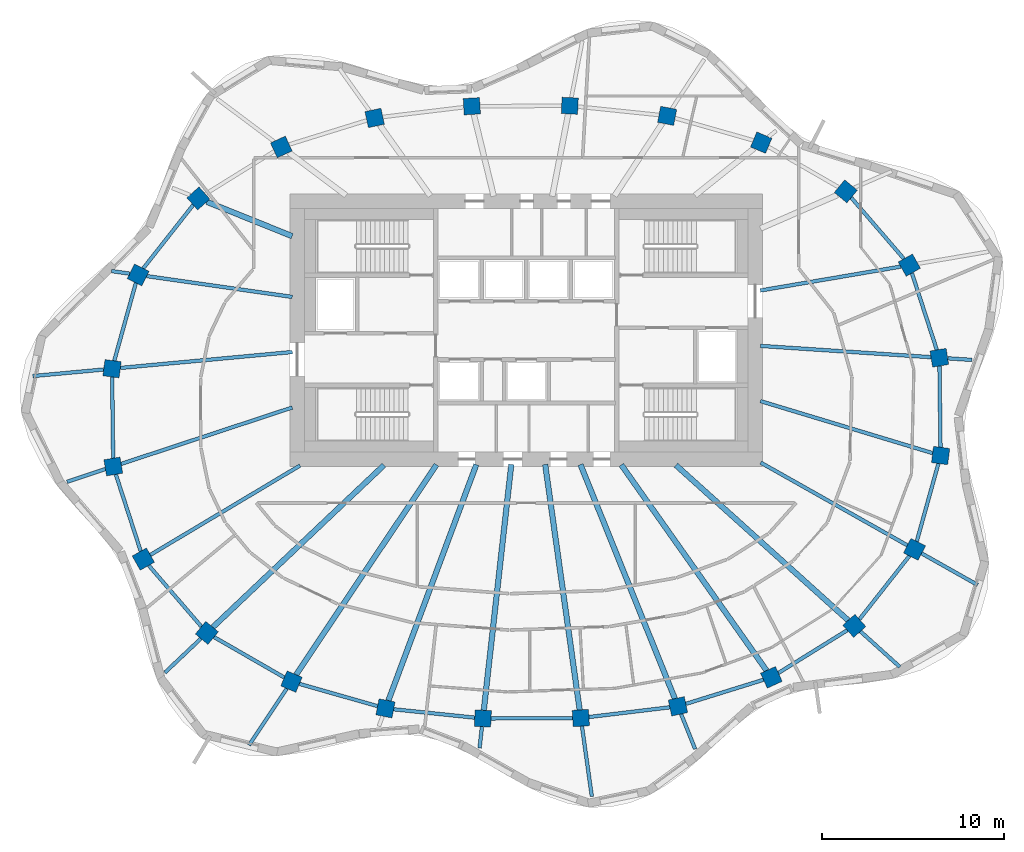
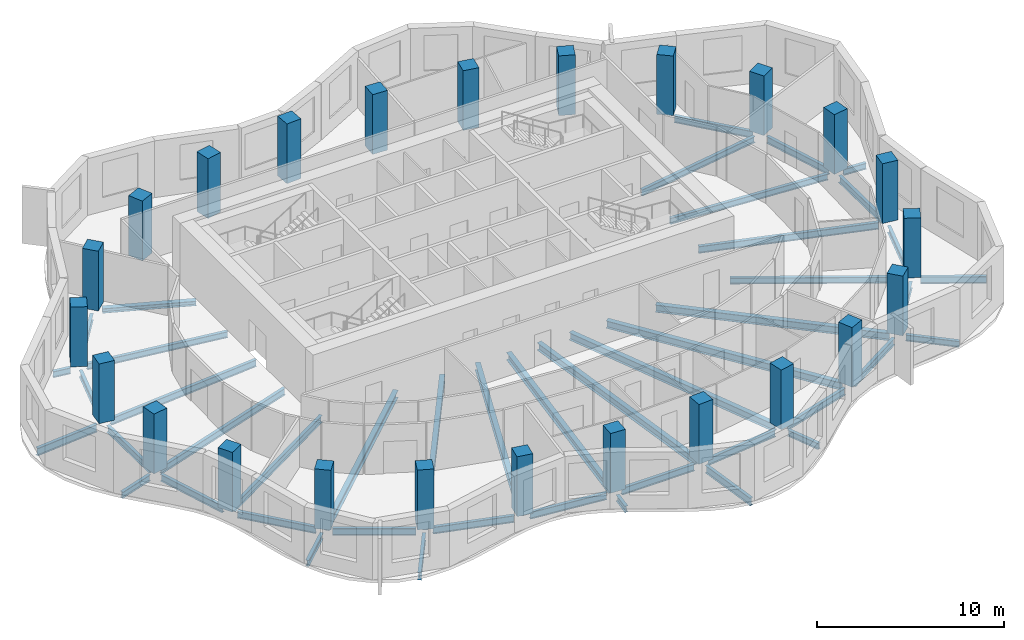
# One storey, part 1 of 9: 45 beams, 24 columns.
"""IFC4 building model written with IfcOpenShell, lengths in metres."""

from ifc_helpers import new_model, si_unit, direction, frame, origin, origin_2d, place, context, subcontext, project, spatial, rectangle, i_section, extrude, material, material_profile, profile_set, type_object, element, save


model = new_model("IFC4")

# Units and contexts
model_context = context("Model", 3, precision=1e-05, world=origin(), true_north=direction((0.0, 1.0)))
body_context = subcontext(model_context, "Body", "Model", "MODEL_VIEW")
ifc_project = project(units=[si_unit("LENGTHUNIT", "METRE"), si_unit("AREAUNIT", "SQUARE_METRE"), si_unit("VOLUMEUNIT", "CUBIC_METRE"), si_unit("PLANEANGLEUNIT", "RADIAN"), si_unit("MASSUNIT", "GRAM", prefix="KILO")], contexts=[model_context])

# Site, building, storey
site_placement = place(None, origin())
site = spatial("IfcSite", under=ifc_project, at=site_placement, CompositionType="ELEMENT")
building_placement = place(site_placement, origin())
building = spatial("IfcBuilding", under=site, at=building_placement, Name="Rubra Terraces Tower", CompositionType="ELEMENT")
storey_placement = place(building_placement, frame((0.0, 0.0, 288.300048828125)))
storey = spatial("IfcBuildingStorey", under=building, at=storey_placement, Name="L71", CompositionType="ELEMENT", Elevation=288.300048828125)

# Columns
ifc_material_1 = material(Name="Concrete C50", Category="concrete")
ifc_material_profile_1 = material_profile(ifc_material_1, rectangle(XDim=0.89990234375, YDim=0.89990234375, at=origin_2d()), Name="RC 900x900")
ifc_profile_set_1 = profile_set([ifc_material_profile_1], Name="Concrete C50")
column_type = type_object("IfcColumnType", Name="RING COLUMN RC 900x900 C50", PredefinedType="COLUMN", material=ifc_profile_set_1)
for number, where, z_axis, x_axis, name in (
    (1, (22.73388671875, 2.992919921875, 0.0), (0.0, 0.0, 1.0), (-0.162062155721, 0.986780551938, 0.0), "column-L71-ring-01"),
    (2, (21.0810546875, 8.090087890625, 0.0), (0.0, 0.0, 1.0), (-0.490161823029, 0.8716314515, 0.0), "column-L71-ring-02"),
    (3, (17.583984375, 12.15087890625, 0.0), (0.0, 0.0, 1.0), (-0.770679191336, 0.637223339216, 0.0), "column-L71-ring-03"),
    (4, (12.927001953125, 14.83203125, 0.0), (0.0, 0.0, 1.0), (-0.92110553102, 0.389312985558, 0.0), "column-L71-ring-04"),
    (5, (7.7509765625, 16.306884765625, 0.0), (0.0, 0.0, 1.0), (-0.981936574306, 0.189210369799, 0.0), "column-L71-ring-05"),
    (6, (2.39208984375, 16.862060546875, 0.0), (0.0, 0.0, 1.0), (-0.998791416829, 0.049149828786, 0.0), "column-L71-ring-06"),
    (7, (-2.9990234375, 16.8359375, 0.0), (0.0, 0.0, 1.0), (-0.998059443319, -0.062268351524, 0.0), "column-L71-ring-07"),
    (8, (-8.346923828125, 16.19189453125, 0.0), (0.0, 0.0, 1.0), (-0.977944102772, -0.208866780156, 0.0), "column-L71-ring-08"),
    (9, (-13.487060546875, 14.595947265625, 0.0), (0.0, 0.0, 1.0), (-0.90972649622, -0.415208022652, 0.0), "column-L71-ring-09"),
    (10, (-18.051025390625, 11.762939453125, 0.0), (0.0, 0.0, 1.0), (-0.7456420961, -0.66634665492, 0.0), "column-L71-ring-10"),
    (11, (-21.366943359375, 7.553955078125, 0.0), (0.0, 0.0, 1.0), (-0.452078869866, -0.891977968013, 0.0), "column-L71-ring-11"),
    (12, (-22.802001953125, 2.388916015625, 0.0), (0.0, 0.0, 1.0), (-0.128535191473, -0.991704948336, 0.0), "column-L71-ring-12"),
    (13, (-22.73388671875, -2.992919921875, 0.0), (0.0, 0.0, 1.0), (0.162062155721, -0.986780551938, 0.0), "column-L71-ring-13"),
    (14, (-21.0810546875, -8.090087890625, 0.0), (0.0, 0.0, 1.0), (0.490161823029, -0.8716314515, 0.0), "column-L71-ring-14"),
    (15, (-17.583984375, -12.15087890625, 0.0), (0.0, 0.0, 1.0), (0.770679191336, -0.637223339216, 0.0), "column-L71-ring-15"),
    (16, (-12.927001953125, -14.83203125, 0.0), (0.0, 0.0, 1.0), (0.92110553102, -0.389312985558, 0.0), "column-L71-ring-16"),
    (17, (-7.7509765625, -16.306884765625, 0.0), (0.0, 0.0, 1.0), (0.981936574306, -0.189210369799, 0.0), "column-L71-ring-17"),
    (18, (-2.39208984375, -16.862060546875, 0.0), (0.0, 0.0, 1.0), (0.998791416829, -0.049149828786, 0.0), "column-L71-ring-18"),
    (19, (2.9990234375, -16.8359375, 0.0), (0.0, 0.0, 1.0), (0.998059443319, 0.062268351524, 0.0), "column-L71-ring-19"),
    (20, (8.346923828125, -16.19189453125, 0.0), (0.0, 0.0, 1.0), (0.977944102772, 0.208866780156, 0.0), "column-L71-ring-20"),
    (21, (13.487060546875, -14.595947265625, 0.0), (0.0, 0.0, 1.0), (0.90972649622, 0.415208022652, 0.0), "column-L71-ring-21"),
    (22, (18.051025390625, -11.762939453125, 0.0), (0.0, 0.0, 1.0), (0.7456420961, 0.66634665492, 0.0), "column-L71-ring-22"),
    (23, (21.366943359375, -7.553955078125, 0.0), (0.0, 0.0, 1.0), (0.452078869866, 0.891977968013, 0.0), "column-L71-ring-23"),
    (24, (22.802001953125, -2.388916015625, 0.0), (0.0, 0.0, 1.0), (0.128535191473, 0.991704948336, 0.0), "column-L71-ring-24"),
):
    element("IfcColumn", number, at=place(storey_placement, frame(where, z_axis=z_axis, x_axis=x_axis)), inside=storey, type_object=column_type, Name=name, PredefinedType="COLUMN", context=body_context, shape_type="SweptSolid", body=[
        extrude(rectangle(XDim=0.89990234375, YDim=0.89990234375, at=origin_2d()), origin(), (0.0, 0.0, 1.0), 3.89990234375),
    ])

# Beams
ifc_material_2 = material(Name="Steel Q355B", Category="steel")
ifc_material_profile_2 = material_profile(ifc_material_2, i_section(OverallWidth=0.199951171875, OverallDepth=0.39990234375, WebThickness=0.008056640625, FlangeThickness=0.012939453125, at=origin_2d()), Name="HN 400x200x8x13")
ifc_profile_set_2 = profile_set([ifc_material_profile_2], Name="Steel Q355B")
beam_type_1 = type_object("IfcBeamType", Name="CANTILEVER BEAM HN 400x200x8x13", PredefinedType="BEAM", material=ifc_profile_set_2)
beam_1_placement = place(storey_placement, frame((-23.1669921875, -3.135986328125, -0.400146484375), z_axis=(-0.94984123822, -0.312732508987, 0.0), x_axis=(0.312732508987, -0.94984123822, 0.0)))
element("IfcBeam", 25, at=beam_1_placement, inside=storey, type_object=beam_type_1, Name="beam-L71-cant-13", PredefinedType="BEAM", context=body_context, shape_type="SweptSolid", body=[
    extrude(i_section(OverallWidth=0.199951171875, OverallDepth=0.39990234375, WebThickness=0.008056640625, FlangeThickness=0.012939453125, at=origin_2d()), origin(), (0.0, 0.0, 1.0), 2.22265625),
])
beam_2_placement = place(storey_placement, frame((-17.9130859375, -12.462890625, -0.400146484375), z_axis=(-0.726108422197, -0.687580220203, 0.0), x_axis=(0.687580220203, -0.726108422197, 0.0)))
element("IfcBeam", 26, at=beam_2_placement, inside=storey, type_object=beam_type_1, Name="beam-L71-cant-15", PredefinedType="BEAM", context=body_context, shape_type="SweptSolid", body=[
    extrude(i_section(OverallWidth=0.199951171875, OverallDepth=0.39990234375, WebThickness=0.008056640625, FlangeThickness=0.012939453125, at=origin_2d()), origin(), (0.0, 0.0, 1.0), 2.718505859375),
])
beam_3_placement = place(storey_placement, frame((8.51806640625, -16.615966796875, -0.400146484375), z_axis=(0.374142652642, -0.927371163814, 0.0), x_axis=(0.927371163814, 0.374142652642, 0.0)))
element("IfcBeam", 27, at=beam_3_placement, inside=storey, type_object=beam_type_1, Name="beam-L71-cant-20", PredefinedType="BEAM", context=body_context, shape_type="SweptSolid", body=[
    extrude(i_section(OverallWidth=0.199951171875, OverallDepth=0.39990234375, WebThickness=0.008056640625, FlangeThickness=0.012939453125, at=origin_2d()), origin(), (0.0, 0.0, 1.0), 2.078857421875),
])
beam_4_placement = place(storey_placement, frame((18.386962890625, -12.06591796875, -0.400146484375), z_axis=(0.742932803454, -0.669366005674, 0.0), x_axis=(0.669366005674, 0.742932803454, 0.0)))
element("IfcBeam", 28, at=beam_4_placement, inside=storey, type_object=beam_type_1, Name="beam-L71-cant-22", PredefinedType="BEAM", context=body_context, shape_type="SweptSolid", body=[
    extrude(i_section(OverallWidth=0.199951171875, OverallDepth=0.39990234375, WebThickness=0.008056640625, FlangeThickness=0.012939453125, at=origin_2d()), origin(), (0.0, 0.0, 1.0), 2.923828125),
])
ifc_material_profile_3 = material_profile(ifc_material_2, i_section(OverallWidth=0.198974609375, OverallDepth=0.446044921875, WebThickness=0.008056640625, FlangeThickness=0.011962890625, at=origin_2d()), Name="HN 446x199x8x12")
ifc_profile_set_3 = profile_set([ifc_material_profile_3], Name="Steel Q355B")
beam_type_2 = type_object("IfcBeamType", Name="CANTILEVER BEAM HN 446x199x8x12", PredefinedType="BEAM", material=ifc_profile_set_3)
beam_5_placement = place(storey_placement, frame((21.759033203125, -7.77490234375, -0.423095703125), z_axis=(0.870945880777, -0.49137895026, 0.0), x_axis=(0.49137895026, 0.870945880777, 0.0)))
element("IfcBeam", 29, at=beam_5_placement, inside=storey, type_object=beam_type_2, Name="beam-L71-cant-23", PredefinedType="BEAM", context=body_context, shape_type="SweptSolid", body=[
    extrude(i_section(OverallWidth=0.198974609375, OverallDepth=0.446044921875, WebThickness=0.008056640625, FlangeThickness=0.011962890625, at=origin_2d()), origin(), (0.0, 0.0, 1.0), 3.53515625),
])
ifc_material_profile_4 = material_profile(ifc_material_2, i_section(OverallWidth=0.198974609375, OverallDepth=0.49609375, WebThickness=0.009033203125, FlangeThickness=0.013916015625, at=origin_2d()), Name="HN 496x199x9x14")
ifc_profile_set_4 = profile_set([ifc_material_profile_4], Name="Steel Q355B")
beam_type_3 = type_object("IfcBeamType", Name="CANTILEVER BEAM HN 496x199x9x14", PredefinedType="BEAM", material=ifc_profile_set_4)
beam_6_placement = place(storey_placement, frame((-23.260986328125, 2.345947265625, -0.447998046875), z_axis=(-0.995751576587, -0.092080387299, 0.0), x_axis=(0.092080387299, -0.995751576587, 0.0)))
element("IfcBeam", 30, at=beam_6_placement, inside=storey, type_object=beam_type_3, Name="beam-L71-cant-12", PredefinedType="BEAM", context=body_context, shape_type="SweptSolid", body=[
    extrude(i_section(OverallWidth=0.198974609375, OverallDepth=0.49609375, WebThickness=0.009033203125, FlangeThickness=0.013916015625, at=origin_2d()), origin(), (0.0, 0.0, 1.0), 3.918701171875),
])
beam_7_placement = place(storey_placement, frame((-13.181884765625, -15.212890625, -0.447998046875), z_axis=(-0.555692252439, -0.831388068582, 0.0), x_axis=(0.831388068582, -0.555692252439, 0.0)))
element("IfcBeam", 31, at=beam_7_placement, inside=storey, type_object=beam_type_3, Name="beam-L71-cant-16", PredefinedType="BEAM", context=body_context, shape_type="SweptSolid", body=[
    extrude(i_section(OverallWidth=0.198974609375, OverallDepth=0.49609375, WebThickness=0.009033203125, FlangeThickness=0.013916015625, at=origin_2d()), origin(), (0.0, 0.0, 1.0), 3.746826171875),
])
beam_8_placement = place(storey_placement, frame((3.06201171875, -17.282958984375, -0.447998046875), z_axis=(0.139113240656, -0.990276479714, 0.0), x_axis=(0.990276479714, 0.139113240656, 0.0)))
element("IfcBeam", 32, at=beam_8_placement, inside=storey, type_object=beam_type_3, Name="beam-L71-cant-19", PredefinedType="BEAM", context=body_context, shape_type="SweptSolid", body=[
    extrude(i_section(OverallWidth=0.198974609375, OverallDepth=0.49609375, WebThickness=0.009033203125, FlangeThickness=0.013916015625, at=origin_2d()), origin(), (0.0, 0.0, 1.0), 3.91015625),
])
ifc_material_profile_5 = material_profile(ifc_material_2, i_section(OverallWidth=0.199951171875, OverallDepth=0.39990234375, WebThickness=0.008056640625, FlangeThickness=0.012939453125, at=origin_2d()), Name="HN 400x200x8x13")
ifc_profile_set_5 = profile_set([ifc_material_profile_5], Name="Steel Q355B")
beam_type_4 = type_object("IfcBeamType", Name="CANTILEVER STUB HN 400x200x8x13", PredefinedType="BEAM", material=ifc_profile_set_5)
beam_9_placement = place(storey_placement, frame((23.195068359375, 2.9619140625, -0.400146484375), z_axis=(0.99785850461, -0.065409515961, 0.0), x_axis=(0.065409515961, 0.99785850461, 0.0)))
element("IfcBeam", 33, at=beam_9_placement, inside=storey, type_object=beam_type_4, Name="beam-L71-cant-01", PredefinedType="BEAM", context=body_context, shape_type="SweptSolid", body=[
    extrude(i_section(OverallWidth=0.199951171875, OverallDepth=0.39990234375, WebThickness=0.008056640625, FlangeThickness=0.012939453125, at=origin_2d()), origin(), (0.0, 0.0, 1.0), 1.34375),
])
beam_10_placement = place(storey_placement, frame((-21.8369140625, 7.62109375, -0.400146484375), z_axis=(-0.989934873195, 0.141523661744, 0.0), x_axis=(-0.141523661744, -0.989934873195, 0.0)))
element("IfcBeam", 34, at=beam_10_placement, inside=storey, type_object=beam_type_4, Name="beam-L71-cant-11", PredefinedType="BEAM", context=body_context, shape_type="SweptSolid", body=[
    extrude(i_section(OverallWidth=0.199951171875, OverallDepth=0.39990234375, WebThickness=0.008056640625, FlangeThickness=0.012939453125, at=origin_2d()), origin(), (0.0, 0.0, 1.0), 1.002197265625),
])
beam_11_placement = place(storey_placement, frame((-2.44189453125, -17.31005859375, -0.400146484375), z_axis=(-0.111153107694, -0.993803293741, 0.0), x_axis=(0.993803293741, -0.111153107694, 0.0)))
element("IfcBeam", 35, at=beam_11_placement, inside=storey, type_object=beam_type_4, Name="beam-L71-cant-18", PredefinedType="BEAM", context=body_context, shape_type="SweptSolid", body=[
    extrude(i_section(OverallWidth=0.199951171875, OverallDepth=0.39990234375, WebThickness=0.008056640625, FlangeThickness=0.012939453125, at=origin_2d()), origin(), (0.0, 0.0, 1.0), 1.188232421875),
])
ifc_material_profile_6 = material_profile(ifc_material_2, i_section(OverallWidth=0.300048828125, OverallDepth=0.48193359375, WebThickness=0.010986328125, FlangeThickness=0.014892578125, at=origin_2d()), Name="HM 482x300x11x15")
ifc_profile_set_6 = profile_set([ifc_material_profile_6], Name="Steel Q355B")
beam_type_5 = type_object("IfcBeamType", Name="FLOOR BEAM HM 482x300x11x15", PredefinedType="BEAM", material=ifc_profile_set_6)
beam_12_placement = place(storey_placement, frame((-17.2548828125, -11.839111328125, -0.441162109375), z_axis=(0.726101482513, 0.687587548674, 0.0), x_axis=(-0.687587548674, 0.726101482513, 0.0)))
element("IfcBeam", 36, at=beam_12_placement, inside=storey, type_object=beam_type_5, Name="beam-L71-floor-15", PredefinedType="BEAM", context=body_context, shape_type="SweptSolid", body=[
    extrude(i_section(OverallWidth=0.300048828125, OverallDepth=0.48193359375, WebThickness=0.010986328125, FlangeThickness=0.014892578125, at=origin_2d()), origin(), (0.0, 0.0, 1.0), 12.97607421875),
])
beam_13_placement = place(storey_placement, frame((-12.672119140625, -14.450927734375, -0.441162109375), z_axis=(0.55586735335, 0.831271006038, 0.0), x_axis=(-0.831271006038, 0.55586735335, 0.0)))
element("IfcBeam", 37, at=beam_13_placement, inside=storey, type_object=beam_type_5, Name="beam-L71-floor-16", PredefinedType="BEAM", context=body_context, shape_type="SweptSolid", body=[
    extrude(i_section(OverallWidth=0.300048828125, OverallDepth=0.48193359375, WebThickness=0.010986328125, FlangeThickness=0.014892578125, at=origin_2d()), origin(), (0.0, 0.0, 1.0), 13.8955078125),
])
beam_14_placement = place(storey_placement, frame((-7.592041015625, -15.87890625, -0.441162109375), z_axis=(0.349129035616, 0.937074658973, 0.0), x_axis=(-0.937074658973, 0.349129035616, 0.0)))
element("IfcBeam", 38, at=beam_14_placement, inside=storey, type_object=beam_type_5, Name="beam-L71-floor-17", PredefinedType="BEAM", context=body_context, shape_type="SweptSolid", body=[
    extrude(i_section(OverallWidth=0.300048828125, OverallDepth=0.48193359375, WebThickness=0.010986328125, FlangeThickness=0.014892578125, at=origin_2d()), origin(), (0.0, 0.0, 1.0), 13.86328125),
])
beam_15_placement = place(storey_placement, frame((-2.342041015625, -16.4140625, -0.441162109375), z_axis=(0.111334672678, 0.993782969596, 0.0), x_axis=(-0.993782969596, 0.111334672678, 0.0)))
element("IfcBeam", 39, at=beam_15_placement, inside=storey, type_object=beam_type_5, Name="beam-L71-floor-18", PredefinedType="BEAM", context=body_context, shape_type="SweptSolid", body=[
    extrude(i_section(OverallWidth=0.300048828125, OverallDepth=0.48193359375, WebThickness=0.010986328125, FlangeThickness=0.014892578125, at=origin_2d()), origin(), (0.0, 0.0, 1.0), 13.61767578125),
])
beam_16_placement = place(storey_placement, frame((2.93603515625, -16.388916015625, -0.441162109375), z_axis=(-0.139140748081, 0.990272615103, 0.0), x_axis=(-0.990272615103, -0.139140748081, 0.0)))
element("IfcBeam", 40, at=beam_16_placement, inside=storey, type_object=beam_type_5, Name="beam-L71-floor-19", PredefinedType="BEAM", context=body_context, shape_type="SweptSolid", body=[
    extrude(i_section(OverallWidth=0.300048828125, OverallDepth=0.48193359375, WebThickness=0.010986328125, FlangeThickness=0.014892578125, at=origin_2d()), origin(), (0.0, 0.0, 1.0), 13.640380859375),
])
beam_17_placement = place(storey_placement, frame((8.176025390625, -15.76806640625, -0.441162109375), z_axis=(-0.374083693877, 0.927394948215, 0.0), x_axis=(-0.927394948215, -0.374083693877, 0.0)))
element("IfcBeam", 41, at=beam_17_placement, inside=storey, type_object=beam_type_5, Name="beam-L71-floor-20", PredefinedType="BEAM", context=body_context, shape_type="SweptSolid", body=[
    extrude(i_section(OverallWidth=0.300048828125, OverallDepth=0.48193359375, WebThickness=0.010986328125, FlangeThickness=0.014892578125, at=origin_2d()), origin(), (0.0, 0.0, 1.0), 13.887451171875),
])
beam_18_placement = place(storey_placement, frame((13.222900390625, -14.221923828125, -0.441162109375), z_axis=(-0.576895514811, 0.816817950948, 0.0), x_axis=(-0.816817950948, -0.576895514811, 0.0)))
element("IfcBeam", 42, at=beam_18_placement, inside=storey, type_object=beam_type_5, Name="beam-L71-floor-21", PredefinedType="BEAM", context=body_context, shape_type="SweptSolid", body=[
    extrude(i_section(OverallWidth=0.300048828125, OverallDepth=0.48193359375, WebThickness=0.010986328125, FlangeThickness=0.014892578125, at=origin_2d()), origin(), (0.0, 0.0, 1.0), 13.8583984375),
])
beam_19_placement = place(storey_placement, frame((17.715087890625, -11.4599609375, -0.441162109375), z_axis=(-0.742980094736, 0.669313513105, 0.0), x_axis=(-0.669313513105, -0.742980094736, 0.0)))
element("IfcBeam", 43, at=beam_19_placement, inside=storey, type_object=beam_type_5, Name="beam-L71-floor-22", PredefinedType="BEAM", context=body_context, shape_type="SweptSolid", body=[
    extrude(i_section(OverallWidth=0.300048828125, OverallDepth=0.48193359375, WebThickness=0.010986328125, FlangeThickness=0.014892578125, at=origin_2d()), origin(), (0.0, 0.0, 1.0), 12.759521484375),
])
ifc_material_profile_7 = material_profile(ifc_material_2, i_section(OverallWidth=0.199951171875, OverallDepth=0.39990234375, WebThickness=0.008056640625, FlangeThickness=0.012939453125, at=origin_2d()), Name="HN 400x200x8x13")
ifc_profile_set_7 = profile_set([ifc_material_profile_7], Name="Steel Q355B")
beam_type_6 = type_object("IfcBeamType", Name="FLOOR BEAM HN 400x200x8x13", PredefinedType="BEAM", material=ifc_profile_set_7)
beam_20_placement = place(storey_placement, frame((22.27294921875, 3.02392578125, -0.400146484375), z_axis=(-0.997814209988, 0.066081785285, 0.0), x_axis=(-0.066081785285, -0.997814209988, 0.0)))
element("IfcBeam", 44, at=beam_20_placement, inside=storey, type_object=beam_type_6, Name="beam-L71-floor-01", PredefinedType="BEAM", context=body_context, shape_type="SweptSolid", body=[
    extrude(i_section(OverallWidth=0.199951171875, OverallDepth=0.39990234375, WebThickness=0.008056640625, FlangeThickness=0.012939453125, at=origin_2d()), origin(), (0.0, 0.0, 1.0), 9.41357421875),
])
beam_21_placement = place(storey_placement, frame((20.610107421875, 8.010009765625, -0.400146484375), z_axis=(-0.985810425856, -0.167862456415, 0.0), x_axis=(0.167862456415, -0.985810425856, 0.0)))
element("IfcBeam", 45, at=beam_21_placement, inside=storey, type_object=beam_type_6, Name="beam-L71-floor-02", PredefinedType="BEAM", context=body_context, shape_type="SweptSolid", body=[
    extrude(i_section(OverallWidth=0.199951171875, OverallDepth=0.39990234375, WebThickness=0.008056640625, FlangeThickness=0.012939453125, at=origin_2d()), origin(), (0.0, 0.0, 1.0), 7.83935546875),
])
beam_22_placement = place(storey_placement, frame((-20.89697265625, 7.487060546875, -0.400146484375), z_axis=(0.98993441274, -0.141526882509, 0.0), x_axis=(0.141526882509, 0.98993441274, 0.0)))
element("IfcBeam", 46, at=beam_22_placement, inside=storey, type_object=beam_type_6, Name="beam-L71-floor-11", PredefinedType="BEAM", context=body_context, shape_type="SweptSolid", body=[
    extrude(i_section(OverallWidth=0.199951171875, OverallDepth=0.39990234375, WebThickness=0.008056640625, FlangeThickness=0.012939453125, at=origin_2d()), origin(), (0.0, 0.0, 1.0), 8.097412109375),
])
beam_23_placement = place(storey_placement, frame((20.97509765625, -7.3330078125, -0.400146484375), z_axis=(-0.870973270007, 0.491330400986, 0.0), x_axis=(-0.491330400986, -0.870973270007, 0.0)))
element("IfcBeam", 47, at=beam_23_placement, inside=storey, type_object=beam_type_6, Name="beam-L71-floor-23", PredefinedType="BEAM", context=body_context, shape_type="SweptSolid", body=[
    extrude(i_section(OverallWidth=0.199951171875, OverallDepth=0.39990234375, WebThickness=0.008056640625, FlangeThickness=0.012939453125, at=origin_2d()), origin(), (0.0, 0.0, 1.0), 9.277099609375),
])
ifc_material_profile_8 = material_profile(ifc_material_2, i_section(OverallWidth=0.198974609375, OverallDepth=0.446044921875, WebThickness=0.008056640625, FlangeThickness=0.011962890625, at=origin_2d()), Name="HN 446x199x8x12")
ifc_profile_set_8 = profile_set([ifc_material_profile_8], Name="Steel Q355B")
beam_type_7 = type_object("IfcBeamType", Name="FLOOR BEAM HN 446x199x8x12", PredefinedType="BEAM", material=ifc_profile_set_8)
beam_24_placement = place(storey_placement, frame((-22.343017578125, 2.431884765625, -0.423095703125), z_axis=(0.995739538303, 0.092210475874, 0.0), x_axis=(-0.092210475874, 0.995739538303, 0.0)))
element("IfcBeam", 48, at=beam_24_placement, inside=storey, type_object=beam_type_7, Name="beam-L71-floor-12", PredefinedType="BEAM", context=body_context, shape_type="SweptSolid", body=[
    extrude(i_section(OverallWidth=0.198974609375, OverallDepth=0.446044921875, WebThickness=0.008056640625, FlangeThickness=0.011962890625, at=origin_2d()), origin(), (0.0, 0.0, 1.0), 9.50244140625),
])
beam_25_placement = place(storey_placement, frame((-22.301025390625, -2.85009765625, -0.423095703125), z_axis=(0.949746725795, 0.313019419273, 0.0), x_axis=(-0.313019419273, 0.949746725795, 0.0)))
element("IfcBeam", 49, at=beam_25_placement, inside=storey, type_object=beam_type_7, Name="beam-L71-floor-13", PredefinedType="BEAM", context=body_context, shape_type="SweptSolid", body=[
    extrude(i_section(OverallWidth=0.198974609375, OverallDepth=0.446044921875, WebThickness=0.008056640625, FlangeThickness=0.011962890625, at=origin_2d()), origin(), (0.0, 0.0, 1.0), 9.913330078125),
])
beam_26_placement = place(storey_placement, frame((-20.695068359375, -7.85888671875, -0.423095703125), z_axis=(0.858552756119, 0.512725233396, 0.0), x_axis=(-0.512725233396, 0.858552756119, 0.0)))
element("IfcBeam", 50, at=beam_26_placement, inside=storey, type_object=beam_type_7, Name="beam-L71-floor-14", PredefinedType="BEAM", context=body_context, shape_type="SweptSolid", body=[
    extrude(i_section(OverallWidth=0.198974609375, OverallDepth=0.446044921875, WebThickness=0.008056640625, FlangeThickness=0.011962890625, at=origin_2d()), origin(), (0.0, 0.0, 1.0), 9.59765625),
])
beam_27_placement = place(storey_placement, frame((22.364990234375, -2.257080078125, -0.423095703125), z_axis=(-0.957268105474, 0.289201960992, 0.0), x_axis=(-0.289201960992, -0.957268105474, 0.0)))
element("IfcBeam", 51, at=beam_27_placement, inside=storey, type_object=beam_type_7, Name="beam-L71-floor-24", PredefinedType="BEAM", context=body_context, shape_type="SweptSolid", body=[
    extrude(i_section(OverallWidth=0.198974609375, OverallDepth=0.446044921875, WebThickness=0.008056640625, FlangeThickness=0.011962890625, at=origin_2d()), origin(), (0.0, 0.0, 1.0), 9.903076171875),
])
ifc_material_profile_9 = material_profile(ifc_material_2, i_section(OverallWidth=0.304931640625, OverallDepth=0.300048828125, WebThickness=0.014892578125, FlangeThickness=0.014892578125, at=origin_2d()), Name="HW 300x305x15x15")
ifc_profile_set_9 = profile_set([ifc_material_profile_9], Name="Steel Q355B")
beam_type_8 = type_object("IfcBeamType", Name="FLOOR BEAM HW 300x305x15x15", PredefinedType="BEAM", material=ifc_profile_set_9)
beam_28_placement = place(storey_placement, frame((-17.5849609375, 11.575927734375, -0.35009765625), z_axis=(0.927692985207, -0.373343977047, 0.0), x_axis=(0.373343977047, 0.927692985207, 0.0)))
element("IfcBeam", 52, at=beam_28_placement, inside=storey, type_object=beam_type_8, Name="beam-L71-floor-10", PredefinedType="BEAM", context=body_context, shape_type="SweptSolid", body=[
    extrude(i_section(OverallWidth=0.304931640625, OverallDepth=0.300048828125, WebThickness=0.014892578125, FlangeThickness=0.014892578125, at=origin_2d()), origin(), (0.0, 0.0, 1.0), 5.06201171875),
])
ifc_material_profile_10 = material_profile(ifc_material_2, i_section(OverallWidth=0.198974609375, OverallDepth=0.446044921875, WebThickness=0.008056640625, FlangeThickness=0.011962890625, at=origin_2d()), Name="HN 446x199x8x12")
ifc_profile_set_10 = profile_set([ifc_material_profile_10], Name="Steel Q355B")
beam_type_9 = type_object("IfcBeamType", Name="SPANDREL BEAM HN 446x199x8x12", PredefinedType="SPANDREL", material=ifc_profile_set_10)
beam_29_placement = place(storey_placement, frame((22.593994140625, 3.426025390625, -0.423095703125), z_axis=(-0.308536942246, 0.951212360764, 0.0), x_axis=(-0.951212360764, -0.308536942246, 0.0)))
element("IfcBeam", 53, at=beam_29_placement, inside=storey, type_object=beam_type_9, Name="beam-L71-spandrel-01", PredefinedType="SPANDREL", context=body_context, shape_type="SweptSolid", body=[
    extrude(i_section(OverallWidth=0.198974609375, OverallDepth=0.446044921875, WebThickness=0.008056640625, FlangeThickness=0.011962890625, at=origin_2d()), origin(), (0.0, 0.0, 1.0), 4.44384765625),
])
beam_30_placement = place(storey_placement, frame((20.781005859375, 8.43798828125, -0.423095703125), z_axis=(-0.652473175209, 0.757811820726, 0.0), x_axis=(-0.757811820726, -0.652473175209, 0.0)))
element("IfcBeam", 54, at=beam_30_placement, inside=storey, type_object=beam_type_9, Name="beam-L71-spandrel-02", PredefinedType="SPANDREL", context=body_context, shape_type="SweptSolid", body=[
    extrude(i_section(OverallWidth=0.198974609375, OverallDepth=0.446044921875, WebThickness=0.008056640625, FlangeThickness=0.011962890625, at=origin_2d()), origin(), (0.0, 0.0, 1.0), 4.44287109375),
])
beam_31_placement = place(storey_placement, frame((-18.333984375, 11.404052734375, -0.423095703125), z_axis=(-0.61888661349, -0.785480336891, 0.0), x_axis=(0.785480336891, -0.61888661349, 0.0)))
element("IfcBeam", 55, at=beam_31_placement, inside=storey, type_object=beam_type_9, Name="beam-L71-spandrel-10", PredefinedType="SPANDREL", context=body_context, shape_type="SweptSolid", body=[
    extrude(i_section(OverallWidth=0.198974609375, OverallDepth=0.446044921875, WebThickness=0.008056640625, FlangeThickness=0.011962890625, at=origin_2d()), origin(), (0.0, 0.0, 1.0), 4.44189453125),
])
beam_32_placement = place(storey_placement, frame((-21.489990234375, 7.112060546875, -0.423095703125), z_axis=(-0.267564585696, -0.963539927809, 0.0), x_axis=(0.963539927809, -0.267564585696, 0.0)))
element("IfcBeam", 56, at=beam_32_placement, inside=storey, type_object=beam_type_9, Name="beam-L71-spandrel-11", PredefinedType="SPANDREL", context=body_context, shape_type="SweptSolid", body=[
    extrude(i_section(OverallWidth=0.198974609375, OverallDepth=0.446044921875, WebThickness=0.008056640625, FlangeThickness=0.011962890625, at=origin_2d()), origin(), (0.0, 0.0, 1.0), 4.447265625),
])
beam_33_placement = place(storey_placement, frame((-22.7958984375, 1.93408203125, -0.423095703125), z_axis=(0.01250038801, -0.999921867097, 0.0), x_axis=(0.999921867097, 0.01250038801, 0.0)))
element("IfcBeam", 57, at=beam_33_placement, inside=storey, type_object=beam_type_9, Name="beam-L71-spandrel-12", PredefinedType="SPANDREL", context=body_context, shape_type="SweptSolid", body=[
    extrude(i_section(OverallWidth=0.198974609375, OverallDepth=0.446044921875, WebThickness=0.008056640625, FlangeThickness=0.011962890625, at=origin_2d()), origin(), (0.0, 0.0, 1.0), 4.472412109375),
])
beam_34_placement = place(storey_placement, frame((-22.593994140625, -3.426025390625, -0.423095703125), z_axis=(0.308536942246, -0.951212360764, 0.0), x_axis=(0.951212360764, 0.308536942246, 0.0)))
element("IfcBeam", 58, at=beam_34_placement, inside=storey, type_object=beam_type_9, Name="beam-L71-spandrel-13", PredefinedType="SPANDREL", context=body_context, shape_type="SweptSolid", body=[
    extrude(i_section(OverallWidth=0.198974609375, OverallDepth=0.446044921875, WebThickness=0.008056640625, FlangeThickness=0.011962890625, at=origin_2d()), origin(), (0.0, 0.0, 1.0), 4.44384765625),
])
beam_35_placement = place(storey_placement, frame((-20.781005859375, -8.43798828125, -0.423095703125), z_axis=(0.652473175209, -0.757811820726, 0.0), x_axis=(0.757811820726, 0.652473175209, 0.0)))
element("IfcBeam", 59, at=beam_35_placement, inside=storey, type_object=beam_type_9, Name="beam-L71-spandrel-14", PredefinedType="SPANDREL", context=body_context, shape_type="SweptSolid", body=[
    extrude(i_section(OverallWidth=0.198974609375, OverallDepth=0.446044921875, WebThickness=0.008056640625, FlangeThickness=0.011962890625, at=origin_2d()), origin(), (0.0, 0.0, 1.0), 4.44287109375),
])
beam_36_placement = place(storey_placement, frame((-17.18798828125, -12.37890625, -0.423095703125), z_axis=(0.866616005945, -0.498975648945, 0.0), x_axis=(0.498975648945, 0.866616005945, 0.0)))
element("IfcBeam", 60, at=beam_36_placement, inside=storey, type_object=beam_type_9, Name="beam-L71-spandrel-15", PredefinedType="SPANDREL", context=body_context, shape_type="SweptSolid", body=[
    extrude(i_section(OverallWidth=0.198974609375, OverallDepth=0.446044921875, WebThickness=0.008056640625, FlangeThickness=0.011962890625, at=origin_2d()), origin(), (0.0, 0.0, 1.0), 4.463134765625),
])
beam_37_placement = place(storey_placement, frame((-12.490966796875, -14.9560546875, -0.423095703125), z_axis=(0.961713024643, -0.27405849418, 0.0), x_axis=(0.27405849418, 0.961713024643, 0.0)))
element("IfcBeam", 61, at=beam_37_placement, inside=storey, type_object=beam_type_9, Name="beam-L71-spandrel-16", PredefinedType="SPANDREL", context=body_context, shape_type="SweptSolid", body=[
    extrude(i_section(OverallWidth=0.198974609375, OverallDepth=0.446044921875, WebThickness=0.008056640625, FlangeThickness=0.011962890625, at=origin_2d()), origin(), (0.0, 0.0, 1.0), 4.477294921875),
])
beam_38_placement = place(storey_placement, frame((-7.302001953125, -16.35400390625, -0.423095703125), z_axis=(0.994684107425, -0.102973425873, 0.0), x_axis=(0.102973425873, 0.994684107425, 0.0)))
element("IfcBeam", 62, at=beam_38_placement, inside=storey, type_object=beam_type_9, Name="beam-L71-spandrel-17", PredefinedType="SPANDREL", context=body_context, shape_type="SweptSolid", body=[
    extrude(i_section(OverallWidth=0.198974609375, OverallDepth=0.446044921875, WebThickness=0.008056640625, FlangeThickness=0.011962890625, at=origin_2d()), origin(), (0.0, 0.0, 1.0), 4.48583984375),
])
beam_39_placement = place(storey_placement, frame((-1.94091796875, -16.860107421875, -0.423095703125), z_axis=(0.999987753188, 0.004949088244, 0.0), x_axis=(-0.004949088244, 0.999987753188, 0.0)))
element("IfcBeam", 63, at=beam_39_placement, inside=storey, type_object=beam_type_9, Name="beam-L71-spandrel-18", PredefinedType="SPANDREL", context=body_context, shape_type="SweptSolid", body=[
    extrude(i_section(OverallWidth=0.198974609375, OverallDepth=0.446044921875, WebThickness=0.008056640625, FlangeThickness=0.011962890625, at=origin_2d()), origin(), (0.0, 0.0, 1.0), 4.489013671875),
])
beam_40_placement = place(storey_placement, frame((3.447021484375, -16.781982421875, -0.423095703125), z_axis=(0.992829862118, 0.119536040116, 0.0), x_axis=(-0.119536040116, 0.992829862118, 0.0)))
element("IfcBeam", 64, at=beam_40_placement, inside=storey, type_object=beam_type_9, Name="beam-L71-spandrel-19", PredefinedType="SPANDREL", context=body_context, shape_type="SweptSolid", body=[
    extrude(i_section(OverallWidth=0.198974609375, OverallDepth=0.446044921875, WebThickness=0.008056640625, FlangeThickness=0.011962890625, at=origin_2d()), origin(), (0.0, 0.0, 1.0), 4.483154296875),
])
beam_41_placement = place(storey_placement, frame((8.779052734375, -16.05810546875, -0.423095703125), z_axis=(0.955035382264, 0.296491852541, 0.0), x_axis=(-0.296491852541, 0.955035382264, 0.0)))
element("IfcBeam", 65, at=beam_41_placement, inside=storey, type_object=beam_type_9, Name="beam-L71-spandrel-20", PredefinedType="SPANDREL", context=body_context, shape_type="SweptSolid", body=[
    extrude(i_section(OverallWidth=0.198974609375, OverallDepth=0.446044921875, WebThickness=0.008056640625, FlangeThickness=0.011962890625, at=origin_2d()), origin(), (0.0, 0.0, 1.0), 4.47607421875),
])
beam_42_placement = place(storey_placement, frame((13.8720703125, -14.35693359375, -0.423095703125), z_axis=(0.849641857012, 0.527360137679, 0.0), x_axis=(-0.527360137679, 0.849641857012, 0.0)))
element("IfcBeam", 66, at=beam_42_placement, inside=storey, type_object=beam_type_9, Name="beam-L71-spandrel-21", PredefinedType="SPANDREL", context=body_context, shape_type="SweptSolid", body=[
    extrude(i_section(OverallWidth=0.198974609375, OverallDepth=0.446044921875, WebThickness=0.008056640625, FlangeThickness=0.011962890625, at=origin_2d()), origin(), (0.0, 0.0, 1.0), 4.4619140625),
])
beam_43_placement = place(storey_placement, frame((18.333984375, -11.404052734375, -0.423095703125), z_axis=(0.61888661349, 0.785480336891, 0.0), x_axis=(-0.785480336891, 0.61888661349, 0.0)))
element("IfcBeam", 67, at=beam_43_placement, inside=storey, type_object=beam_type_9, Name="beam-L71-spandrel-22", PredefinedType="SPANDREL", context=body_context, shape_type="SweptSolid", body=[
    extrude(i_section(OverallWidth=0.198974609375, OverallDepth=0.446044921875, WebThickness=0.008056640625, FlangeThickness=0.011962890625, at=origin_2d()), origin(), (0.0, 0.0, 1.0), 4.44189453125),
])
beam_44_placement = place(storey_placement, frame((21.489990234375, -7.112060546875, -0.423095703125), z_axis=(0.267564585696, 0.963539927809, 0.0), x_axis=(-0.963539927809, 0.267564585696, 0.0)))
element("IfcBeam", 68, at=beam_44_placement, inside=storey, type_object=beam_type_9, Name="beam-L71-spandrel-23", PredefinedType="SPANDREL", context=body_context, shape_type="SweptSolid", body=[
    extrude(i_section(OverallWidth=0.198974609375, OverallDepth=0.446044921875, WebThickness=0.008056640625, FlangeThickness=0.011962890625, at=origin_2d()), origin(), (0.0, 0.0, 1.0), 4.447265625),
])
beam_45_placement = place(storey_placement, frame((22.7958984375, -1.93408203125, -0.423095703125), z_axis=(-0.01250038801, 0.999921867097, 0.0), x_axis=(-0.999921867097, -0.01250038801, 0.0)))
element("IfcBeam", 69, at=beam_45_placement, inside=storey, type_object=beam_type_9, Name="beam-L71-spandrel-24", PredefinedType="SPANDREL", context=body_context, shape_type="SweptSolid", body=[
    extrude(i_section(OverallWidth=0.198974609375, OverallDepth=0.446044921875, WebThickness=0.008056640625, FlangeThickness=0.011962890625, at=origin_2d()), origin(), (0.0, 0.0, 1.0), 4.472412109375),
])

save(model, "model.ifc")
